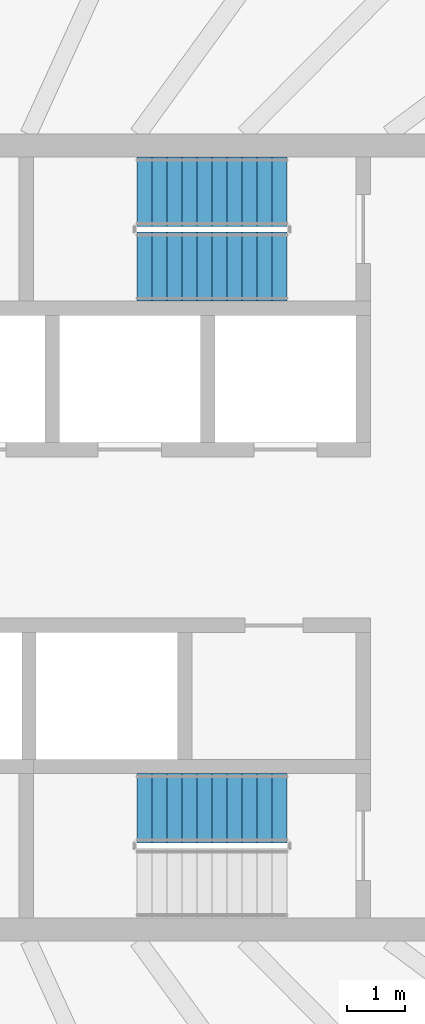
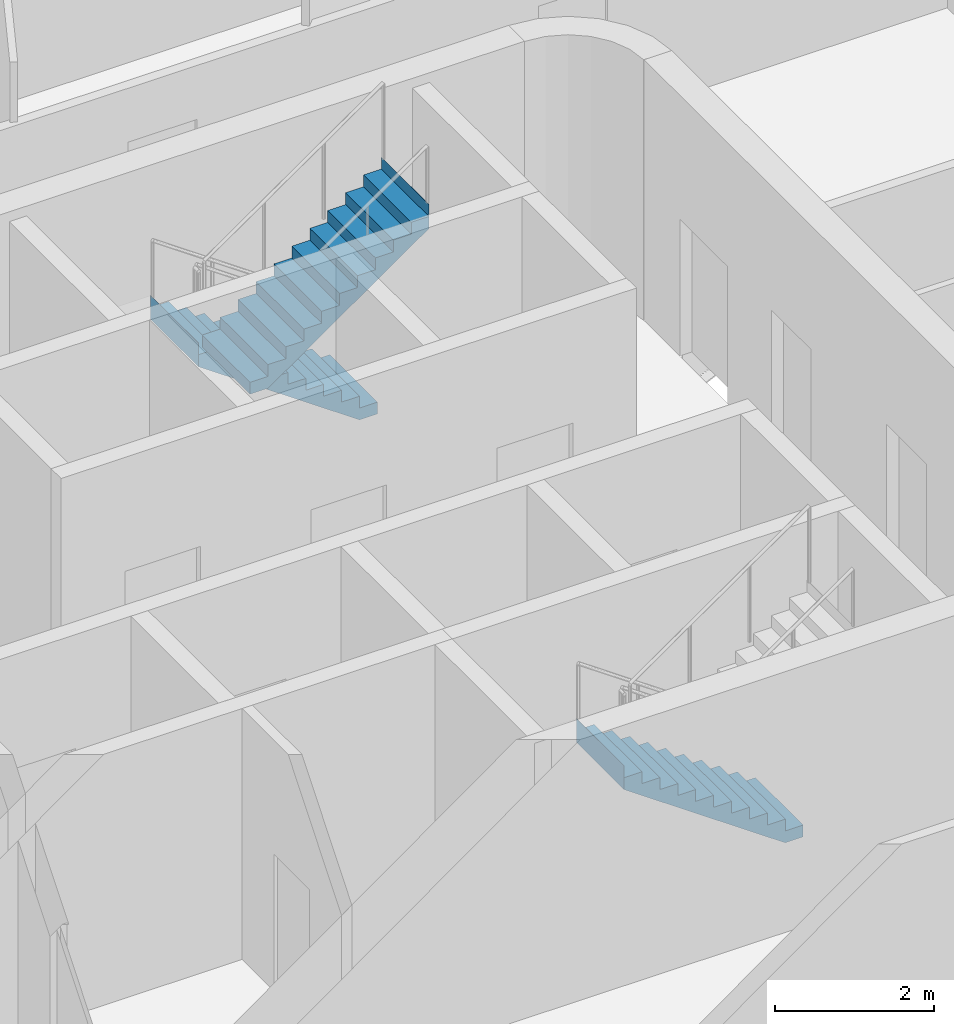
# One storey, part 15 of 20: 3 stair flights, 2 elements without a shape of their own.
"""IFC4 building model written with IfcOpenShell, lengths in metres."""

from ifc_helpers import new_model, si_unit, direction, frame, origin, place, context, subcontext, project, spatial, triangles, material, type_object, element, aggregate, save


model = new_model("IFC4")

# Units and contexts
model_context = context("Model", 3, precision=1e-05, world=origin(), true_north=direction((0.0, 1.0)))
body_context = subcontext(model_context, "Body", "Model", "MODEL_VIEW")
ifc_project = project(units=[si_unit("LENGTHUNIT", "METRE"), si_unit("AREAUNIT", "SQUARE_METRE"), si_unit("VOLUMEUNIT", "CUBIC_METRE"), si_unit("PLANEANGLEUNIT", "RADIAN"), si_unit("MASSUNIT", "GRAM", prefix="KILO")], contexts=[model_context])

# Site, building, storey
site_placement = place(None, origin())
site = spatial("IfcSite", under=ifc_project, at=site_placement, CompositionType="ELEMENT")
building_placement = place(site_placement, origin())
building = spatial("IfcBuilding", under=site, at=building_placement, Name="Sahrelin Media Tower", CompositionType="ELEMENT")
storey_placement = place(building_placement, frame((0.0, 0.0, 225.60009765625)))
storey = spatial("IfcBuildingStorey", under=building, at=storey_placement, Name="L48", CompositionType="ELEMENT", Elevation=225.60009765625)

# Stair, stair flights
ifc_material = material(Name="Concrete C40/50", Category="concrete")
stair_type = type_object("IfcStairType", Name="Exit stair 1200", PredefinedType="HALF_TURN_STAIR", material=ifc_material)
placement = place(storey_placement, origin())
stair_1 = element("IfcStair", 1, at=placement, inside=storey, type_object=stair_type, Name="L48 Exit stair ST3", PredefinedType="HALF_TURN_STAIR")
stair_flight_type = type_object("IfcStairFlightType", Name="Stair flight 1200", PredefinedType="STRAIGHT", material=ifc_material)
stair_flight_1_placement = place(storey_placement, frame((7.675048828125, 6.0, 0.0), z_axis=(0.0, 0.0, 1.0), x_axis=(-1.0, 0.0, 0.0)))
stair_flight_1 = element("IfcStairFlight", 2, at=stair_flight_1_placement, type_object=stair_flight_type, Name="ST3 flight 1", NumberOfRisers=11, NumberOfTreads=10, PredefinedType="STRAIGHT", RiserHeight=0.181818182, TreadLength=0.26, context=body_context, shape_type="Tessellation", body=[
    triangles([(0.261474609375, 0.60009765625, 0.0), (0.261474609375, 0.300048828125, 0.0), (0.261474609375, 0.0, 0.0), (0.261474609375, -0.300048828125, 0.0), (0.261474609375, -0.60009765625, 0.0), (2.60009765625, 0.60009765625, 1.63525390625), (2.60009765625, 0.300048828125, 1.63525390625), (2.60009765625, 0.0, 1.63525390625), (2.60009765625, -0.300048828125, 1.63525390625), (2.60009765625, -0.60009765625, 1.63525390625), (2.60009765625, 0.60009765625, 2.0), (2.60009765625, 0.300048828125, 2.0), (2.60009765625, 0.0, 2.0), (2.60009765625, -0.300048828125, 2.0), (2.60009765625, -0.60009765625, 2.0), (2.597900390625, 0.60009765625, 2.0), (2.597900390625, 0.300048828125, 2.0), (2.597900390625, 0.0, 2.0), (2.597900390625, -0.300048828125, 2.0), (2.597900390625, -0.60009765625, 2.0), (2.597900390625, 0.60009765625, 1.818115234375), (2.597900390625, 0.300048828125, 1.818115234375), (2.597900390625, 0.0, 1.818115234375), (2.597900390625, -0.300048828125, 1.818115234375), (2.597900390625, -0.60009765625, 1.818115234375), (2.340087890625, 0.60009765625, 1.818115234375), (2.340087890625, 0.300048828125, 1.818115234375), (2.340087890625, 0.0, 1.818115234375), (2.340087890625, -0.300048828125, 1.818115234375), (2.340087890625, -0.60009765625, 1.818115234375), (2.340087890625, 0.60009765625, 1.636474609375), (2.340087890625, 0.300048828125, 1.636474609375), (2.340087890625, 0.0, 1.636474609375), (2.340087890625, -0.300048828125, 1.636474609375), (2.340087890625, -0.60009765625, 1.636474609375), (2.080078125, 0.60009765625, 1.636474609375), (2.080078125, 0.300048828125, 1.636474609375), (2.080078125, 0.0, 1.636474609375), (2.080078125, -0.300048828125, 1.636474609375), (2.080078125, -0.60009765625, 1.636474609375), (2.080078125, 0.60009765625, 1.45458984375), (2.080078125, 0.300048828125, 1.45458984375), (2.080078125, 0.0, 1.45458984375), (2.080078125, -0.300048828125, 1.45458984375), (2.080078125, -0.60009765625, 1.45458984375), (1.820068359375, 0.60009765625, 1.45458984375), (1.820068359375, 0.300048828125, 1.45458984375), (1.820068359375, 0.0, 1.45458984375), (1.820068359375, -0.300048828125, 1.45458984375), (1.820068359375, -0.60009765625, 1.45458984375), (1.820068359375, 0.60009765625, 1.272705078125), (1.820068359375, 0.300048828125, 1.272705078125), (1.820068359375, 0.0, 1.272705078125), (1.820068359375, -0.300048828125, 1.272705078125), (1.820068359375, -0.60009765625, 1.272705078125), (1.56005859375, 0.60009765625, 1.272705078125), (1.56005859375, 0.300048828125, 1.272705078125), (1.56005859375, 0.0, 1.272705078125), (1.56005859375, -0.300048828125, 1.272705078125), (1.56005859375, -0.60009765625, 1.272705078125), (1.56005859375, 0.60009765625, 1.0908203125), (1.56005859375, 0.300048828125, 1.0908203125), (1.56005859375, 0.0, 1.0908203125), (1.56005859375, -0.300048828125, 1.0908203125), (1.56005859375, -0.60009765625, 1.0908203125), (1.300048828125, 0.60009765625, 1.0908203125), (1.300048828125, 0.300048828125, 1.0908203125), (1.300048828125, 0.0, 1.0908203125), (1.300048828125, -0.300048828125, 1.0908203125), (1.300048828125, -0.60009765625, 1.0908203125), (1.300048828125, 0.60009765625, 0.9091796875), (1.300048828125, 0.300048828125, 0.9091796875), (1.300048828125, 0.0, 0.9091796875), (1.300048828125, -0.300048828125, 0.9091796875), (1.300048828125, -0.60009765625, 0.9091796875), (1.0400390625, 0.60009765625, 0.9091796875), (1.0400390625, 0.300048828125, 0.9091796875), (1.0400390625, 0.0, 0.9091796875), (1.0400390625, -0.300048828125, 0.9091796875), (1.0400390625, -0.60009765625, 0.9091796875), (1.0400390625, 0.60009765625, 0.727294921875), (1.0400390625, 0.300048828125, 0.727294921875), (1.0400390625, 0.0, 0.727294921875), (1.0400390625, -0.300048828125, 0.727294921875), (1.0400390625, -0.60009765625, 0.727294921875), (0.780029296875, 0.60009765625, 0.727294921875), (0.780029296875, 0.300048828125, 0.727294921875), (0.780029296875, 0.0, 0.727294921875), (0.780029296875, -0.300048828125, 0.727294921875), (0.780029296875, -0.60009765625, 0.727294921875), (0.780029296875, 0.60009765625, 0.54541015625), (0.780029296875, 0.300048828125, 0.54541015625), (0.780029296875, 0.0, 0.54541015625), (0.780029296875, -0.300048828125, 0.54541015625), (0.780029296875, -0.60009765625, 0.54541015625), (0.52001953125, 0.60009765625, 0.54541015625), (0.52001953125, 0.300048828125, 0.54541015625), (0.52001953125, 0.0, 0.54541015625), (0.52001953125, -0.300048828125, 0.54541015625), (0.52001953125, -0.60009765625, 0.54541015625), (0.52001953125, 0.60009765625, 0.363525390625), (0.52001953125, 0.300048828125, 0.363525390625), (0.52001953125, 0.0, 0.363525390625), (0.52001953125, -0.300048828125, 0.363525390625), (0.52001953125, -0.60009765625, 0.363525390625), (0.260009765625, 0.60009765625, 0.363525390625), (0.260009765625, 0.300048828125, 0.363525390625), (0.260009765625, 0.0, 0.363525390625), (0.260009765625, -0.300048828125, 0.363525390625), (0.260009765625, -0.60009765625, 0.363525390625), (0.260009765625, 0.60009765625, 0.181884765625), (0.260009765625, 0.300048828125, 0.181884765625), (0.260009765625, 0.0, 0.181884765625), (0.260009765625, -0.300048828125, 0.181884765625), (0.260009765625, -0.60009765625, 0.181884765625), (0.0, 0.60009765625, 0.181884765625), (0.0, 0.300048828125, 0.181884765625), (0.0, 0.0, 0.181884765625), (0.0, -0.300048828125, 0.181884765625), (0.0, -0.60009765625, 0.181884765625), (0.0, 0.60009765625, 0.0), (0.0, 0.300048828125, 0.0), (0.0, 0.0, 0.0), (0.0, -0.300048828125, 0.0), (0.0, -0.60009765625, 0.0)], [[1, 6, 7], [1, 7, 2], [2, 7, 8], [2, 8, 3], [3, 8, 9], [3, 9, 4], [4, 9, 10], [4, 10, 5], [6, 11, 12], [6, 12, 7], [7, 12, 13], [7, 13, 8], [8, 13, 14], [8, 14, 9], [9, 14, 15], [9, 15, 10], [11, 16, 17], [11, 17, 12], [12, 17, 18], [12, 18, 13], [13, 18, 19], [13, 19, 14], [14, 19, 20], [14, 20, 15], [16, 21, 22], [16, 22, 17], [17, 22, 23], [17, 23, 18], [18, 23, 24], [18, 24, 19], [19, 24, 25], [19, 25, 20], [21, 26, 27], [21, 27, 22], [22, 27, 28], [22, 28, 23], [23, 28, 29], [23, 29, 24], [24, 29, 30], [24, 30, 25], [26, 31, 32], [26, 32, 27], [27, 32, 33], [27, 33, 28], [28, 33, 34], [28, 34, 29], [29, 34, 35], [29, 35, 30], [31, 36, 37], [31, 37, 32], [32, 37, 38], [32, 38, 33], [33, 38, 39], [33, 39, 34], [34, 39, 40], [34, 40, 35], [36, 41, 42], [36, 42, 37], [37, 42, 43], [37, 43, 38], [38, 43, 44], [38, 44, 39], [39, 44, 45], [39, 45, 40], [41, 46, 47], [41, 47, 42], [42, 47, 48], [42, 48, 43], [43, 48, 49], [43, 49, 44], [44, 49, 50], [44, 50, 45], [46, 51, 52], [46, 52, 47], [47, 52, 53], [47, 53, 48], [48, 53, 54], [48, 54, 49], [49, 54, 55], [49, 55, 50], [51, 56, 57], [51, 57, 52], [52, 57, 58], [52, 58, 53], [53, 58, 59], [53, 59, 54], [54, 59, 60], [54, 60, 55], [56, 61, 62], [56, 62, 57], [57, 62, 63], [57, 63, 58], [58, 63, 64], [58, 64, 59], [59, 64, 65], [59, 65, 60], [61, 66, 67], [61, 67, 62], [62, 67, 68], [62, 68, 63], [63, 68, 69], [63, 69, 64], [64, 69, 70], [64, 70, 65], [66, 71, 72], [66, 72, 67], [67, 72, 73], [67, 73, 68], [68, 73, 74], [68, 74, 69], [69, 74, 75], [69, 75, 70], [71, 76, 77], [71, 77, 72], [72, 77, 78], [72, 78, 73], [73, 78, 79], [73, 79, 74], [74, 79, 80], [74, 80, 75], [76, 81, 82], [76, 82, 77], [77, 82, 83], [77, 83, 78], [78, 83, 84], [78, 84, 79], [79, 84, 85], [79, 85, 80], [81, 86, 87], [81, 87, 82], [82, 87, 88], [82, 88, 83], [83, 88, 89], [83, 89, 84], [84, 89, 90], [84, 90, 85], [86, 91, 92], [86, 92, 87], [87, 92, 93], [87, 93, 88], [88, 93, 94], [88, 94, 89], [89, 94, 95], [89, 95, 90], [91, 96, 97], [91, 97, 92], [92, 97, 98], [92, 98, 93], [93, 98, 99], [93, 99, 94], [94, 99, 100], [94, 100, 95], [96, 101, 102], [96, 102, 97], [97, 102, 103], [97, 103, 98], [98, 103, 104], [98, 104, 99], [99, 104, 105], [99, 105, 100], [101, 106, 107], [101, 107, 102], [102, 107, 108], [102, 108, 103], [103, 108, 109], [103, 109, 104], [104, 109, 110], [104, 110, 105], [106, 111, 112], [106, 112, 107], [107, 112, 113], [107, 113, 108], [108, 113, 114], [108, 114, 109], [109, 114, 115], [109, 115, 110], [111, 116, 117], [111, 117, 112], [112, 117, 118], [112, 118, 113], [113, 118, 119], [113, 119, 114], [114, 119, 120], [114, 120, 115], [116, 121, 122], [116, 122, 117], [117, 122, 123], [117, 123, 118], [118, 123, 124], [118, 124, 119], [119, 124, 125], [119, 125, 120], [121, 1, 2], [121, 2, 122], [122, 2, 3], [122, 3, 123], [123, 3, 4], [123, 4, 124], [124, 4, 5], [124, 5, 125], [115, 120, 125], [111, 121, 116], [115, 105, 110], [111, 106, 101], [105, 95, 100], [101, 96, 91], [95, 85, 90], [91, 86, 81], [85, 75, 80], [81, 76, 71], [75, 65, 70], [71, 66, 61], [65, 55, 60], [61, 56, 51], [55, 45, 50], [51, 46, 41], [45, 35, 40], [41, 36, 31], [35, 25, 30], [31, 26, 21], [25, 15, 20], [21, 16, 11], [125, 5, 115], [121, 111, 1], [25, 10, 15], [21, 11, 6], [105, 115, 5], [101, 1, 111], [35, 10, 25], [31, 21, 6], [95, 105, 5], [91, 1, 101], [45, 10, 35], [41, 31, 6], [85, 95, 5], [81, 1, 91], [55, 10, 45], [51, 41, 6], [75, 85, 5], [71, 1, 81], [65, 10, 55], [61, 51, 6], [5, 10, 75], [1, 71, 6], [75, 10, 65], [71, 61, 6]], closed=True),
])
stair_flight_2_placement = place(storey_placement, frame((5.074951171875, 4.699951171875, 2.0), z_axis=(0.0, 0.0, 1.0), x_axis=(1.0, 0.0, 0.0)))
stair_flight_2 = element("IfcStairFlight", 3, at=stair_flight_2_placement, type_object=stair_flight_type, Name="ST3 flight 2", NumberOfRisers=11, NumberOfTreads=10, PredefinedType="STRAIGHT", RiserHeight=0.181818182, TreadLength=0.26, context=body_context, shape_type="Tessellation", body=[
    triangles([(0.261474609375, 0.60009765625, 0.0), (0.261474609375, 0.300048828125, 0.0), (0.261474609375, 0.0, 0.0), (0.261474609375, -0.300048828125, 0.0), (0.261474609375, -0.60009765625, 0.0), (2.60009765625, 0.60009765625, 1.63525390625), (2.60009765625, 0.300048828125, 1.63525390625), (2.60009765625, 0.0, 1.63525390625), (2.60009765625, -0.300048828125, 1.63525390625), (2.60009765625, -0.60009765625, 1.63525390625), (2.60009765625, 0.60009765625, 2.0), (2.60009765625, 0.300048828125, 2.0), (2.60009765625, 0.0, 2.0), (2.60009765625, -0.300048828125, 2.0), (2.60009765625, -0.60009765625, 2.0), (2.597900390625, 0.60009765625, 2.0), (2.597900390625, 0.300048828125, 2.0), (2.597900390625, 0.0, 2.0), (2.597900390625, -0.300048828125, 2.0), (2.597900390625, -0.60009765625, 2.0), (2.597900390625, 0.60009765625, 1.818115234375), (2.597900390625, 0.300048828125, 1.818115234375), (2.597900390625, 0.0, 1.818115234375), (2.597900390625, -0.300048828125, 1.818115234375), (2.597900390625, -0.60009765625, 1.818115234375), (2.340087890625, 0.60009765625, 1.818115234375), (2.340087890625, 0.300048828125, 1.818115234375), (2.340087890625, 0.0, 1.818115234375), (2.340087890625, -0.300048828125, 1.818115234375), (2.340087890625, -0.60009765625, 1.818115234375), (2.340087890625, 0.60009765625, 1.636474609375), (2.340087890625, 0.300048828125, 1.636474609375), (2.340087890625, 0.0, 1.636474609375), (2.340087890625, -0.300048828125, 1.636474609375), (2.340087890625, -0.60009765625, 1.636474609375), (2.080078125, 0.60009765625, 1.636474609375), (2.080078125, 0.300048828125, 1.636474609375), (2.080078125, 0.0, 1.636474609375), (2.080078125, -0.300048828125, 1.636474609375), (2.080078125, -0.60009765625, 1.636474609375), (2.080078125, 0.60009765625, 1.45458984375), (2.080078125, 0.300048828125, 1.45458984375), (2.080078125, 0.0, 1.45458984375), (2.080078125, -0.300048828125, 1.45458984375), (2.080078125, -0.60009765625, 1.45458984375), (1.820068359375, 0.60009765625, 1.45458984375), (1.820068359375, 0.300048828125, 1.45458984375), (1.820068359375, 0.0, 1.45458984375), (1.820068359375, -0.300048828125, 1.45458984375), (1.820068359375, -0.60009765625, 1.45458984375), (1.820068359375, 0.60009765625, 1.272705078125), (1.820068359375, 0.300048828125, 1.272705078125), (1.820068359375, 0.0, 1.272705078125), (1.820068359375, -0.300048828125, 1.272705078125), (1.820068359375, -0.60009765625, 1.272705078125), (1.56005859375, 0.60009765625, 1.272705078125), (1.56005859375, 0.300048828125, 1.272705078125), (1.56005859375, 0.0, 1.272705078125), (1.56005859375, -0.300048828125, 1.272705078125), (1.56005859375, -0.60009765625, 1.272705078125), (1.56005859375, 0.60009765625, 1.0908203125), (1.56005859375, 0.300048828125, 1.0908203125), (1.56005859375, 0.0, 1.0908203125), (1.56005859375, -0.300048828125, 1.0908203125), (1.56005859375, -0.60009765625, 1.0908203125), (1.300048828125, 0.60009765625, 1.0908203125), (1.300048828125, 0.300048828125, 1.0908203125), (1.300048828125, 0.0, 1.0908203125), (1.300048828125, -0.300048828125, 1.0908203125), (1.300048828125, -0.60009765625, 1.0908203125), (1.300048828125, 0.60009765625, 0.9091796875), (1.300048828125, 0.300048828125, 0.9091796875), (1.300048828125, 0.0, 0.9091796875), (1.300048828125, -0.300048828125, 0.9091796875), (1.300048828125, -0.60009765625, 0.9091796875), (1.0400390625, 0.60009765625, 0.9091796875), (1.0400390625, 0.300048828125, 0.9091796875), (1.0400390625, 0.0, 0.9091796875), (1.0400390625, -0.300048828125, 0.9091796875), (1.0400390625, -0.60009765625, 0.9091796875), (1.0400390625, 0.60009765625, 0.727294921875), (1.0400390625, 0.300048828125, 0.727294921875), (1.0400390625, 0.0, 0.727294921875), (1.0400390625, -0.300048828125, 0.727294921875), (1.0400390625, -0.60009765625, 0.727294921875), (0.780029296875, 0.60009765625, 0.727294921875), (0.780029296875, 0.300048828125, 0.727294921875), (0.780029296875, 0.0, 0.727294921875), (0.780029296875, -0.300048828125, 0.727294921875), (0.780029296875, -0.60009765625, 0.727294921875), (0.780029296875, 0.60009765625, 0.54541015625), (0.780029296875, 0.300048828125, 0.54541015625), (0.780029296875, 0.0, 0.54541015625), (0.780029296875, -0.300048828125, 0.54541015625), (0.780029296875, -0.60009765625, 0.54541015625), (0.52001953125, 0.60009765625, 0.54541015625), (0.52001953125, 0.300048828125, 0.54541015625), (0.52001953125, 0.0, 0.54541015625), (0.52001953125, -0.300048828125, 0.54541015625), (0.52001953125, -0.60009765625, 0.54541015625), (0.52001953125, 0.60009765625, 0.363525390625), (0.52001953125, 0.300048828125, 0.363525390625), (0.52001953125, 0.0, 0.363525390625), (0.52001953125, -0.300048828125, 0.363525390625), (0.52001953125, -0.60009765625, 0.363525390625), (0.260009765625, 0.60009765625, 0.363525390625), (0.260009765625, 0.300048828125, 0.363525390625), (0.260009765625, 0.0, 0.363525390625), (0.260009765625, -0.300048828125, 0.363525390625), (0.260009765625, -0.60009765625, 0.363525390625), (0.260009765625, 0.60009765625, 0.181884765625), (0.260009765625, 0.300048828125, 0.181884765625), (0.260009765625, 0.0, 0.181884765625), (0.260009765625, -0.300048828125, 0.181884765625), (0.260009765625, -0.60009765625, 0.181884765625), (0.0, 0.60009765625, 0.181884765625), (0.0, 0.300048828125, 0.181884765625), (0.0, 0.0, 0.181884765625), (0.0, -0.300048828125, 0.181884765625), (0.0, -0.60009765625, 0.181884765625), (0.0, 0.60009765625, 0.0), (0.0, 0.300048828125, 0.0), (0.0, 0.0, 0.0), (0.0, -0.300048828125, 0.0), (0.0, -0.60009765625, 0.0)], [[1, 6, 7], [1, 7, 2], [2, 7, 8], [2, 8, 3], [3, 8, 9], [3, 9, 4], [4, 9, 10], [4, 10, 5], [6, 11, 12], [6, 12, 7], [7, 12, 13], [7, 13, 8], [8, 13, 14], [8, 14, 9], [9, 14, 15], [9, 15, 10], [11, 16, 17], [11, 17, 12], [12, 17, 18], [12, 18, 13], [13, 18, 19], [13, 19, 14], [14, 19, 20], [14, 20, 15], [16, 21, 22], [16, 22, 17], [17, 22, 23], [17, 23, 18], [18, 23, 24], [18, 24, 19], [19, 24, 25], [19, 25, 20], [21, 26, 27], [21, 27, 22], [22, 27, 28], [22, 28, 23], [23, 28, 29], [23, 29, 24], [24, 29, 30], [24, 30, 25], [26, 31, 32], [26, 32, 27], [27, 32, 33], [27, 33, 28], [28, 33, 34], [28, 34, 29], [29, 34, 35], [29, 35, 30], [31, 36, 37], [31, 37, 32], [32, 37, 38], [32, 38, 33], [33, 38, 39], [33, 39, 34], [34, 39, 40], [34, 40, 35], [36, 41, 42], [36, 42, 37], [37, 42, 43], [37, 43, 38], [38, 43, 44], [38, 44, 39], [39, 44, 45], [39, 45, 40], [41, 46, 47], [41, 47, 42], [42, 47, 48], [42, 48, 43], [43, 48, 49], [43, 49, 44], [44, 49, 50], [44, 50, 45], [46, 51, 52], [46, 52, 47], [47, 52, 53], [47, 53, 48], [48, 53, 54], [48, 54, 49], [49, 54, 55], [49, 55, 50], [51, 56, 57], [51, 57, 52], [52, 57, 58], [52, 58, 53], [53, 58, 59], [53, 59, 54], [54, 59, 60], [54, 60, 55], [56, 61, 62], [56, 62, 57], [57, 62, 63], [57, 63, 58], [58, 63, 64], [58, 64, 59], [59, 64, 65], [59, 65, 60], [61, 66, 67], [61, 67, 62], [62, 67, 68], [62, 68, 63], [63, 68, 69], [63, 69, 64], [64, 69, 70], [64, 70, 65], [66, 71, 72], [66, 72, 67], [67, 72, 73], [67, 73, 68], [68, 73, 74], [68, 74, 69], [69, 74, 75], [69, 75, 70], [71, 76, 77], [71, 77, 72], [72, 77, 78], [72, 78, 73], [73, 78, 79], [73, 79, 74], [74, 79, 80], [74, 80, 75], [76, 81, 82], [76, 82, 77], [77, 82, 83], [77, 83, 78], [78, 83, 84], [78, 84, 79], [79, 84, 85], [79, 85, 80], [81, 86, 87], [81, 87, 82], [82, 87, 88], [82, 88, 83], [83, 88, 89], [83, 89, 84], [84, 89, 90], [84, 90, 85], [86, 91, 92], [86, 92, 87], [87, 92, 93], [87, 93, 88], [88, 93, 94], [88, 94, 89], [89, 94, 95], [89, 95, 90], [91, 96, 97], [91, 97, 92], [92, 97, 98], [92, 98, 93], [93, 98, 99], [93, 99, 94], [94, 99, 100], [94, 100, 95], [96, 101, 102], [96, 102, 97], [97, 102, 103], [97, 103, 98], [98, 103, 104], [98, 104, 99], [99, 104, 105], [99, 105, 100], [101, 106, 107], [101, 107, 102], [102, 107, 108], [102, 108, 103], [103, 108, 109], [103, 109, 104], [104, 109, 110], [104, 110, 105], [106, 111, 112], [106, 112, 107], [107, 112, 113], [107, 113, 108], [108, 113, 114], [108, 114, 109], [109, 114, 115], [109, 115, 110], [111, 116, 117], [111, 117, 112], [112, 117, 118], [112, 118, 113], [113, 118, 119], [113, 119, 114], [114, 119, 120], [114, 120, 115], [116, 121, 122], [116, 122, 117], [117, 122, 123], [117, 123, 118], [118, 123, 124], [118, 124, 119], [119, 124, 125], [119, 125, 120], [121, 1, 2], [121, 2, 122], [122, 2, 3], [122, 3, 123], [123, 3, 4], [123, 4, 124], [124, 4, 5], [124, 5, 125], [115, 120, 125], [111, 121, 116], [115, 105, 110], [111, 106, 101], [105, 95, 100], [101, 96, 91], [95, 85, 90], [91, 86, 81], [85, 75, 80], [81, 76, 71], [75, 65, 70], [71, 66, 61], [65, 55, 60], [61, 56, 51], [55, 45, 50], [51, 46, 41], [45, 35, 40], [41, 36, 31], [35, 25, 30], [31, 26, 21], [25, 15, 20], [21, 16, 11], [125, 5, 115], [121, 111, 1], [25, 10, 15], [21, 11, 6], [105, 115, 5], [101, 1, 111], [35, 10, 25], [31, 21, 6], [95, 105, 5], [91, 1, 101], [45, 10, 35], [41, 31, 6], [85, 95, 5], [81, 1, 91], [55, 10, 45], [51, 41, 6], [75, 85, 5], [71, 1, 81], [65, 10, 55], [61, 51, 6], [5, 10, 75], [1, 71, 6], [75, 10, 65], [71, 61, 6]], closed=True),
])
aggregate(stair_1, [stair_flight_1, stair_flight_2])

# Stair, stair flight
stair_2 = element("IfcStair", 4, at=placement, inside=storey, type_object=stair_type, Name="L48 Exit stair ST2", PredefinedType="HALF_TURN_STAIR")
stair_flight_3_placement = place(storey_placement, frame((7.675048828125, -4.699951171875, 0.0), z_axis=(0.0, 0.0, 1.0), x_axis=(-1.0, 0.0, 0.0)))
stair_flight_3 = element("IfcStairFlight", 5, at=stair_flight_3_placement, type_object=stair_flight_type, Name="ST2 flight 1", NumberOfRisers=11, NumberOfTreads=10, PredefinedType="STRAIGHT", RiserHeight=0.181818182, TreadLength=0.26, context=body_context, shape_type="Tessellation", body=[
    triangles([(0.261474609375, 0.60009765625, 0.0), (0.261474609375, 0.300048828125, 0.0), (0.261474609375, 0.0, 0.0), (0.261474609375, -0.300048828125, 0.0), (0.261474609375, -0.60009765625, 0.0), (2.60009765625, 0.60009765625, 1.63525390625), (2.60009765625, 0.300048828125, 1.63525390625), (2.60009765625, 0.0, 1.63525390625), (2.60009765625, -0.300048828125, 1.63525390625), (2.60009765625, -0.60009765625, 1.63525390625), (2.60009765625, 0.60009765625, 2.0), (2.60009765625, 0.300048828125, 2.0), (2.60009765625, 0.0, 2.0), (2.60009765625, -0.300048828125, 2.0), (2.60009765625, -0.60009765625, 2.0), (2.597900390625, 0.60009765625, 2.0), (2.597900390625, 0.300048828125, 2.0), (2.597900390625, 0.0, 2.0), (2.597900390625, -0.300048828125, 2.0), (2.597900390625, -0.60009765625, 2.0), (2.597900390625, 0.60009765625, 1.818115234375), (2.597900390625, 0.300048828125, 1.818115234375), (2.597900390625, 0.0, 1.818115234375), (2.597900390625, -0.300048828125, 1.818115234375), (2.597900390625, -0.60009765625, 1.818115234375), (2.340087890625, 0.60009765625, 1.818115234375), (2.340087890625, 0.300048828125, 1.818115234375), (2.340087890625, 0.0, 1.818115234375), (2.340087890625, -0.300048828125, 1.818115234375), (2.340087890625, -0.60009765625, 1.818115234375), (2.340087890625, 0.60009765625, 1.636474609375), (2.340087890625, 0.300048828125, 1.636474609375), (2.340087890625, 0.0, 1.636474609375), (2.340087890625, -0.300048828125, 1.636474609375), (2.340087890625, -0.60009765625, 1.636474609375), (2.080078125, 0.60009765625, 1.636474609375), (2.080078125, 0.300048828125, 1.636474609375), (2.080078125, 0.0, 1.636474609375), (2.080078125, -0.300048828125, 1.636474609375), (2.080078125, -0.60009765625, 1.636474609375), (2.080078125, 0.60009765625, 1.45458984375), (2.080078125, 0.300048828125, 1.45458984375), (2.080078125, 0.0, 1.45458984375), (2.080078125, -0.300048828125, 1.45458984375), (2.080078125, -0.60009765625, 1.45458984375), (1.820068359375, 0.60009765625, 1.45458984375), (1.820068359375, 0.300048828125, 1.45458984375), (1.820068359375, 0.0, 1.45458984375), (1.820068359375, -0.300048828125, 1.45458984375), (1.820068359375, -0.60009765625, 1.45458984375), (1.820068359375, 0.60009765625, 1.272705078125), (1.820068359375, 0.300048828125, 1.272705078125), (1.820068359375, 0.0, 1.272705078125), (1.820068359375, -0.300048828125, 1.272705078125), (1.820068359375, -0.60009765625, 1.272705078125), (1.56005859375, 0.60009765625, 1.272705078125), (1.56005859375, 0.300048828125, 1.272705078125), (1.56005859375, 0.0, 1.272705078125), (1.56005859375, -0.300048828125, 1.272705078125), (1.56005859375, -0.60009765625, 1.272705078125), (1.56005859375, 0.60009765625, 1.0908203125), (1.56005859375, 0.300048828125, 1.0908203125), (1.56005859375, 0.0, 1.0908203125), (1.56005859375, -0.300048828125, 1.0908203125), (1.56005859375, -0.60009765625, 1.0908203125), (1.300048828125, 0.60009765625, 1.0908203125), (1.300048828125, 0.300048828125, 1.0908203125), (1.300048828125, 0.0, 1.0908203125), (1.300048828125, -0.300048828125, 1.0908203125), (1.300048828125, -0.60009765625, 1.0908203125), (1.300048828125, 0.60009765625, 0.9091796875), (1.300048828125, 0.300048828125, 0.9091796875), (1.300048828125, 0.0, 0.9091796875), (1.300048828125, -0.300048828125, 0.9091796875), (1.300048828125, -0.60009765625, 0.9091796875), (1.0400390625, 0.60009765625, 0.9091796875), (1.0400390625, 0.300048828125, 0.9091796875), (1.0400390625, 0.0, 0.9091796875), (1.0400390625, -0.300048828125, 0.9091796875), (1.0400390625, -0.60009765625, 0.9091796875), (1.0400390625, 0.60009765625, 0.727294921875), (1.0400390625, 0.300048828125, 0.727294921875), (1.0400390625, 0.0, 0.727294921875), (1.0400390625, -0.300048828125, 0.727294921875), (1.0400390625, -0.60009765625, 0.727294921875), (0.780029296875, 0.60009765625, 0.727294921875), (0.780029296875, 0.300048828125, 0.727294921875), (0.780029296875, 0.0, 0.727294921875), (0.780029296875, -0.300048828125, 0.727294921875), (0.780029296875, -0.60009765625, 0.727294921875), (0.780029296875, 0.60009765625, 0.54541015625), (0.780029296875, 0.300048828125, 0.54541015625), (0.780029296875, 0.0, 0.54541015625), (0.780029296875, -0.300048828125, 0.54541015625), (0.780029296875, -0.60009765625, 0.54541015625), (0.52001953125, 0.60009765625, 0.54541015625), (0.52001953125, 0.300048828125, 0.54541015625), (0.52001953125, 0.0, 0.54541015625), (0.52001953125, -0.300048828125, 0.54541015625), (0.52001953125, -0.60009765625, 0.54541015625), (0.52001953125, 0.60009765625, 0.363525390625), (0.52001953125, 0.300048828125, 0.363525390625), (0.52001953125, 0.0, 0.363525390625), (0.52001953125, -0.300048828125, 0.363525390625), (0.52001953125, -0.60009765625, 0.363525390625), (0.260009765625, 0.60009765625, 0.363525390625), (0.260009765625, 0.300048828125, 0.363525390625), (0.260009765625, 0.0, 0.363525390625), (0.260009765625, -0.300048828125, 0.363525390625), (0.260009765625, -0.60009765625, 0.363525390625), (0.260009765625, 0.60009765625, 0.181884765625), (0.260009765625, 0.300048828125, 0.181884765625), (0.260009765625, 0.0, 0.181884765625), (0.260009765625, -0.300048828125, 0.181884765625), (0.260009765625, -0.60009765625, 0.181884765625), (0.0, 0.60009765625, 0.181884765625), (0.0, 0.300048828125, 0.181884765625), (0.0, 0.0, 0.181884765625), (0.0, -0.300048828125, 0.181884765625), (0.0, -0.60009765625, 0.181884765625), (0.0, 0.60009765625, 0.0), (0.0, 0.300048828125, 0.0), (0.0, 0.0, 0.0), (0.0, -0.300048828125, 0.0), (0.0, -0.60009765625, 0.0)], [[1, 6, 7], [1, 7, 2], [2, 7, 8], [2, 8, 3], [3, 8, 9], [3, 9, 4], [4, 9, 10], [4, 10, 5], [6, 11, 12], [6, 12, 7], [7, 12, 13], [7, 13, 8], [8, 13, 14], [8, 14, 9], [9, 14, 15], [9, 15, 10], [11, 16, 17], [11, 17, 12], [12, 17, 18], [12, 18, 13], [13, 18, 19], [13, 19, 14], [14, 19, 20], [14, 20, 15], [16, 21, 22], [16, 22, 17], [17, 22, 23], [17, 23, 18], [18, 23, 24], [18, 24, 19], [19, 24, 25], [19, 25, 20], [21, 26, 27], [21, 27, 22], [22, 27, 28], [22, 28, 23], [23, 28, 29], [23, 29, 24], [24, 29, 30], [24, 30, 25], [26, 31, 32], [26, 32, 27], [27, 32, 33], [27, 33, 28], [28, 33, 34], [28, 34, 29], [29, 34, 35], [29, 35, 30], [31, 36, 37], [31, 37, 32], [32, 37, 38], [32, 38, 33], [33, 38, 39], [33, 39, 34], [34, 39, 40], [34, 40, 35], [36, 41, 42], [36, 42, 37], [37, 42, 43], [37, 43, 38], [38, 43, 44], [38, 44, 39], [39, 44, 45], [39, 45, 40], [41, 46, 47], [41, 47, 42], [42, 47, 48], [42, 48, 43], [43, 48, 49], [43, 49, 44], [44, 49, 50], [44, 50, 45], [46, 51, 52], [46, 52, 47], [47, 52, 53], [47, 53, 48], [48, 53, 54], [48, 54, 49], [49, 54, 55], [49, 55, 50], [51, 56, 57], [51, 57, 52], [52, 57, 58], [52, 58, 53], [53, 58, 59], [53, 59, 54], [54, 59, 60], [54, 60, 55], [56, 61, 62], [56, 62, 57], [57, 62, 63], [57, 63, 58], [58, 63, 64], [58, 64, 59], [59, 64, 65], [59, 65, 60], [61, 66, 67], [61, 67, 62], [62, 67, 68], [62, 68, 63], [63, 68, 69], [63, 69, 64], [64, 69, 70], [64, 70, 65], [66, 71, 72], [66, 72, 67], [67, 72, 73], [67, 73, 68], [68, 73, 74], [68, 74, 69], [69, 74, 75], [69, 75, 70], [71, 76, 77], [71, 77, 72], [72, 77, 78], [72, 78, 73], [73, 78, 79], [73, 79, 74], [74, 79, 80], [74, 80, 75], [76, 81, 82], [76, 82, 77], [77, 82, 83], [77, 83, 78], [78, 83, 84], [78, 84, 79], [79, 84, 85], [79, 85, 80], [81, 86, 87], [81, 87, 82], [82, 87, 88], [82, 88, 83], [83, 88, 89], [83, 89, 84], [84, 89, 90], [84, 90, 85], [86, 91, 92], [86, 92, 87], [87, 92, 93], [87, 93, 88], [88, 93, 94], [88, 94, 89], [89, 94, 95], [89, 95, 90], [91, 96, 97], [91, 97, 92], [92, 97, 98], [92, 98, 93], [93, 98, 99], [93, 99, 94], [94, 99, 100], [94, 100, 95], [96, 101, 102], [96, 102, 97], [97, 102, 103], [97, 103, 98], [98, 103, 104], [98, 104, 99], [99, 104, 105], [99, 105, 100], [101, 106, 107], [101, 107, 102], [102, 107, 108], [102, 108, 103], [103, 108, 109], [103, 109, 104], [104, 109, 110], [104, 110, 105], [106, 111, 112], [106, 112, 107], [107, 112, 113], [107, 113, 108], [108, 113, 114], [108, 114, 109], [109, 114, 115], [109, 115, 110], [111, 116, 117], [111, 117, 112], [112, 117, 118], [112, 118, 113], [113, 118, 119], [113, 119, 114], [114, 119, 120], [114, 120, 115], [116, 121, 122], [116, 122, 117], [117, 122, 123], [117, 123, 118], [118, 123, 124], [118, 124, 119], [119, 124, 125], [119, 125, 120], [121, 1, 2], [121, 2, 122], [122, 2, 3], [122, 3, 123], [123, 3, 4], [123, 4, 124], [124, 4, 5], [124, 5, 125], [115, 120, 125], [111, 121, 116], [115, 105, 110], [111, 106, 101], [105, 95, 100], [101, 96, 91], [95, 85, 90], [91, 86, 81], [85, 75, 80], [81, 76, 71], [75, 65, 70], [71, 66, 61], [65, 55, 60], [61, 56, 51], [55, 45, 50], [51, 46, 41], [45, 35, 40], [41, 36, 31], [35, 25, 30], [31, 26, 21], [25, 15, 20], [21, 16, 11], [125, 5, 115], [121, 111, 1], [25, 10, 15], [21, 11, 6], [105, 115, 5], [101, 1, 111], [35, 10, 25], [31, 21, 6], [95, 105, 5], [91, 1, 101], [45, 10, 35], [41, 31, 6], [85, 95, 5], [81, 1, 91], [55, 10, 45], [51, 41, 6], [75, 85, 5], [71, 1, 81], [65, 10, 55], [61, 51, 6], [5, 10, 75], [1, 71, 6], [75, 10, 65], [71, 61, 6]], closed=True),
])
aggregate(stair_2, [stair_flight_3])

save(model, "model.ifc")
